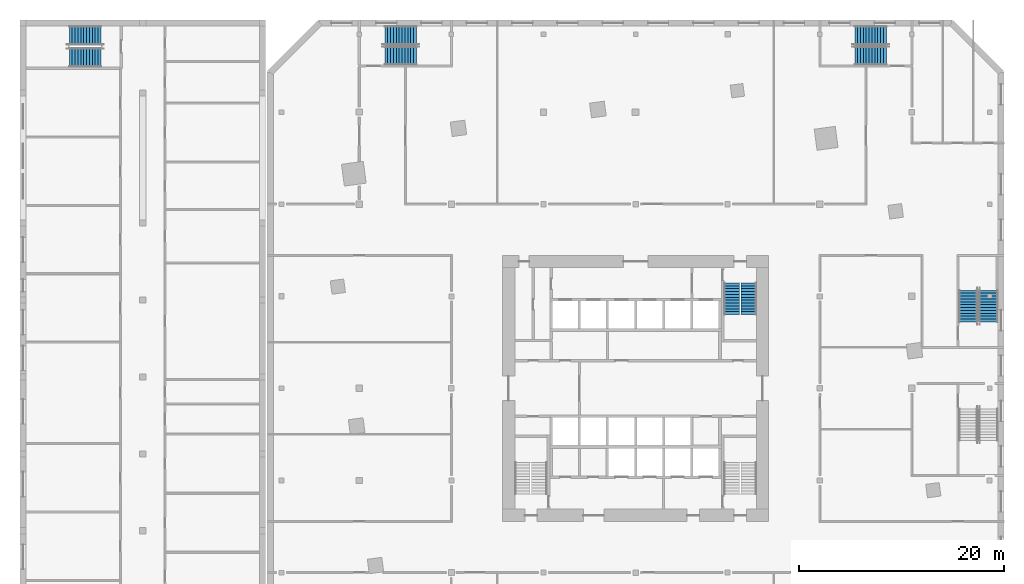
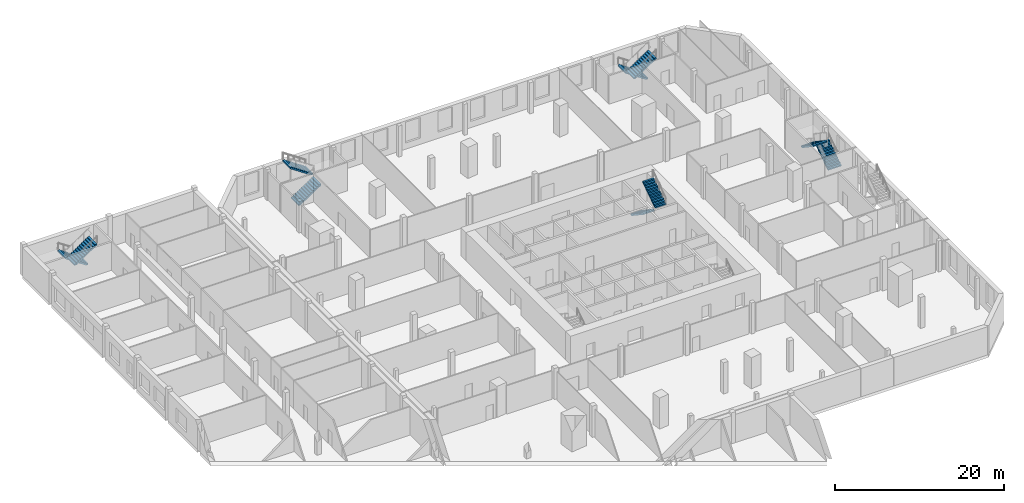
# One storey, part 14 of 18: 10 stair flights, 5 elements without a shape of their own.
"""IFC4 building model written with IfcOpenShell, lengths in metres."""

from ifc_helpers import new_model, si_unit, direction, frame, origin, place, context, subcontext, project, spatial, polyline, outline, extrude, material, type_object, element, aggregate, save


model = new_model("IFC4")

# Units and contexts
model_context = context("Model", 3, precision=1e-05, world=origin(), true_north=direction((0.0, 1.0)))
body_context = subcontext(model_context, "Body", "Model", "MODEL_VIEW")
ifc_project = project(units=[si_unit("LENGTHUNIT", "METRE"), si_unit("AREAUNIT", "SQUARE_METRE"), si_unit("VOLUMEUNIT", "CUBIC_METRE"), si_unit("PLANEANGLEUNIT", "RADIAN"), si_unit("MASSUNIT", "GRAM", prefix="KILO")], contexts=[model_context])

# Site, building, storey
site_placement = place(None, origin())
site = spatial("IfcSite", under=ifc_project, at=site_placement, CompositionType="ELEMENT")
building_placement = place(site_placement, origin())
building = spatial("IfcBuilding", under=site, at=building_placement, Name="Dilmun Exchange Tower", CompositionType="ELEMENT")
storey_placement = place(building_placement, frame((0.0, 0.0, 13.5)))
storey = spatial("IfcBuildingStorey", under=building, at=storey_placement, Name="L03", CompositionType="ELEMENT", Elevation=13.5)

# Stair, stair flights
ifc_material = material(Name="Concrete C40/50", Category="concrete")
stair_type_1 = type_object("IfcStairType", Name="Exit stair 1500 half-turn", PredefinedType="HALF_TURN_STAIR", material=ifc_material)
stair_1_placement = place(storey_placement, origin())
stair_1 = element("IfcStair", 1, at=stair_1_placement, inside=storey, type_object=stair_type_1, Name="L03 Protected exit stair ST1", PredefinedType="HALF_TURN_STAIR")
stair_flight_type_1 = type_object("IfcStairFlightType", Name="Exit stair flight 1500", PredefinedType="STRAIGHT", material=ifc_material)
stair_flight_1_placement = place(storey_placement, frame((9.39990234375, 10.300048828125, 0.0), z_axis=(0.0, 0.0, 1.0), x_axis=(0.0, -1.0, 0.0)))
stair_flight_1 = element("IfcStairFlight", 2, at=stair_flight_1_placement, type_object=stair_flight_type_1, Name="ST1 flight 1", NumberOfRisers=12, NumberOfTreads=11, PredefinedType="STRAIGHT", RiserHeight=0.1875, TreadLength=0.28, context=body_context, shape_type="SweptSolid", body=[
    extrude(outline(polyline([(0.0, 0.0), (0.0, 0.1875), (0.280029296875, 0.1875), (0.280029296875, 0.375), (0.56005859375, 0.375), (0.56005859375, 0.5625), (0.840087890625, 0.5625), (0.840087890625, 0.75), (1.1201171875, 0.75), (1.1201171875, 0.9375), (1.39990234375, 0.9375), (1.39990234375, 1.125), (1.679931640625, 1.125), (1.679931640625, 1.3125), (1.9599609375, 1.3125), (1.9599609375, 1.5), (2.239990234375, 1.5), (2.239990234375, 1.6875), (2.52001953125, 1.6875), (2.52001953125, 1.875), (2.800048828125, 1.875), (2.800048828125, 2.0625), (3.080078125, 2.0625), (3.080078125, 2.25), (3.080078125, 1.882080078125), (0.26953125, 0.0), (0.0, 0.0)])), frame((0.0, 0.75, 0.0), z_axis=(0.0, -1.0, 0.0), x_axis=(1.0, 0.0, 0.0)), (0.0, 0.0, 1.0), 1.5),
])
stair_flight_2_placement = place(storey_placement, frame((11.050048828125, 7.219970703125, 2.25), z_axis=(0.0, 0.0, 1.0), x_axis=(0.0, 1.0, 0.0)))
stair_flight_2 = element("IfcStairFlight", 3, at=stair_flight_2_placement, type_object=stair_flight_type_1, Name="ST1 flight 2", NumberOfRisers=12, NumberOfTreads=11, PredefinedType="STRAIGHT", RiserHeight=0.1875, TreadLength=0.28, context=body_context, shape_type="SweptSolid", body=[
    extrude(outline(polyline([(0.0, 0.0), (0.0, 0.1875), (0.280029296875, 0.1875), (0.280029296875, 0.375), (0.56005859375, 0.375), (0.56005859375, 0.5625), (0.840087890625, 0.5625), (0.840087890625, 0.75), (1.1201171875, 0.75), (1.1201171875, 0.9375), (1.39990234375, 0.9375), (1.39990234375, 1.125), (1.679931640625, 1.125), (1.679931640625, 1.3125), (1.9599609375, 1.3125), (1.9599609375, 1.5), (2.239990234375, 1.5), (2.239990234375, 1.6875), (2.52001953125, 1.6875), (2.52001953125, 1.875), (2.800048828125, 1.875), (2.800048828125, 2.0625), (3.080078125, 2.0625), (3.080078125, 2.25), (3.080078125, 1.882080078125), (0.26953125, 0.0), (0.0, 0.0)])), frame((0.0, 0.75, 0.0), z_axis=(0.0, -1.0, 0.0), x_axis=(1.0, 0.0, 0.0)), (0.0, 0.0, 1.0), 1.5),
])
aggregate(stair_1, [stair_flight_1, stair_flight_2])

stair_type_2 = type_object("IfcStairType", Name="Podium exit stair 1500", PredefinedType="HALF_TURN_STAIR", material=ifc_material)
stair_2_placement = place(storey_placement, origin())
stair_2 = element("IfcStair", 4, at=stair_2_placement, inside=storey, type_object=stair_type_2, Name="L03 Podium exit stair PS1", PredefinedType="HALF_TURN_STAIR")
stair_flight_type_2 = type_object("IfcStairFlightType", Name="Podium stair flight 1500", PredefinedType="STRAIGHT", material=ifc_material)
stair_flight_3_placement = place(storey_placement, frame((-24.5, 32.511962890625, 0.0), z_axis=(0.0, 0.0, 1.0), x_axis=(1.0, 0.0, 0.0)))
stair_flight_3 = element("IfcStairFlight", 5, at=stair_flight_3_placement, type_object=stair_flight_type_2, Name="PS1 flight 1", NumberOfRisers=12, NumberOfTreads=11, PredefinedType="STRAIGHT", RiserHeight=0.1875, TreadLength=0.28, context=body_context, shape_type="SweptSolid", body=[
    extrude(outline(polyline([(0.0, 0.0), (0.0, 0.1875), (0.280029296875, 0.1875), (0.280029296875, 0.375), (0.56005859375, 0.375), (0.56005859375, 0.5625), (0.840087890625, 0.5625), (0.840087890625, 0.75), (1.1201171875, 0.75), (1.1201171875, 0.9375), (1.39990234375, 0.9375), (1.39990234375, 1.125), (1.679931640625, 1.125), (1.679931640625, 1.3125), (1.9599609375, 1.3125), (1.9599609375, 1.5), (2.239990234375, 1.5), (2.239990234375, 1.6875), (2.52001953125, 1.6875), (2.52001953125, 1.875), (2.800048828125, 1.875), (2.800048828125, 2.0625), (3.080078125, 2.0625), (3.080078125, 2.25), (3.080078125, 1.882080078125), (0.26953125, 0.0), (0.0, 0.0)])), frame((0.0, 0.912109375, 0.0), z_axis=(0.0, -1.0, 0.0), x_axis=(1.0, 0.0, 0.0)), (0.0, 0.0, 1.0), 1.823974609375),
])
stair_flight_4_placement = place(storey_placement, frame((-21.419921875, 34.486083984375, 2.25), z_axis=(0.0, 0.0, 1.0), x_axis=(-1.0, 0.0, 0.0)))
stair_flight_4 = element("IfcStairFlight", 6, at=stair_flight_4_placement, type_object=stair_flight_type_2, Name="PS1 flight 2", NumberOfRisers=12, NumberOfTreads=11, PredefinedType="STRAIGHT", RiserHeight=0.1875, TreadLength=0.28, context=body_context, shape_type="SweptSolid", body=[
    extrude(outline(polyline([(0.0, 0.0), (0.0, 0.1875), (0.280029296875, 0.1875), (0.280029296875, 0.375), (0.56005859375, 0.375), (0.56005859375, 0.5625), (0.840087890625, 0.5625), (0.840087890625, 0.75), (1.1201171875, 0.75), (1.1201171875, 0.9375), (1.39990234375, 0.9375), (1.39990234375, 1.125), (1.679931640625, 1.125), (1.679931640625, 1.3125), (1.9599609375, 1.3125), (1.9599609375, 1.5), (2.239990234375, 1.5), (2.239990234375, 1.6875), (2.52001953125, 1.6875), (2.52001953125, 1.875), (2.800048828125, 1.875), (2.800048828125, 2.0625), (3.080078125, 2.0625), (3.080078125, 2.25), (3.080078125, 1.882080078125), (0.26953125, 0.0), (0.0, 0.0)])), frame((0.0, 0.912109375, 0.0), z_axis=(0.0, -1.0, 0.0), x_axis=(1.0, 0.0, 0.0)), (0.0, 0.0, 1.0), 1.823974609375),
])
aggregate(stair_2, [stair_flight_3, stair_flight_4])

stair_3_placement = place(storey_placement, origin())
stair_3 = element("IfcStair", 7, at=stair_3_placement, inside=storey, type_object=stair_type_2, Name="L03 Podium exit stair PS2", PredefinedType="HALF_TURN_STAIR")
stair_flight_5_placement = place(storey_placement, frame((24.5, 34.486083984375, 0.0), z_axis=(0.0, 0.0, 1.0), x_axis=(-1.0, 0.0, 0.0)))
stair_flight_5 = element("IfcStairFlight", 8, at=stair_flight_5_placement, type_object=stair_flight_type_2, Name="PS2 flight 1", NumberOfRisers=12, NumberOfTreads=11, PredefinedType="STRAIGHT", RiserHeight=0.1875, TreadLength=0.28, context=body_context, shape_type="SweptSolid", body=[
    extrude(outline(polyline([(0.0, 0.0), (0.0, 0.1875), (0.280029296875, 0.1875), (0.280029296875, 0.375), (0.56005859375, 0.375), (0.56005859375, 0.5625), (0.840087890625, 0.5625), (0.840087890625, 0.75), (1.1201171875, 0.75), (1.1201171875, 0.9375), (1.39990234375, 0.9375), (1.39990234375, 1.125), (1.679931640625, 1.125), (1.679931640625, 1.3125), (1.9599609375, 1.3125), (1.9599609375, 1.5), (2.239990234375, 1.5), (2.239990234375, 1.6875), (2.52001953125, 1.6875), (2.52001953125, 1.875), (2.800048828125, 1.875), (2.800048828125, 2.0625), (3.080078125, 2.0625), (3.080078125, 2.25), (3.080078125, 1.882080078125), (0.26953125, 0.0), (0.0, 0.0)])), frame((0.0, 0.912109375, 0.0), z_axis=(0.0, -1.0, 0.0), x_axis=(1.0, 0.0, 0.0)), (0.0, 0.0, 1.0), 1.823974609375),
])
stair_flight_6_placement = place(storey_placement, frame((21.419921875, 32.511962890625, 2.25), z_axis=(0.0, 0.0, 1.0), x_axis=(1.0, 0.0, 0.0)))
stair_flight_6 = element("IfcStairFlight", 9, at=stair_flight_6_placement, type_object=stair_flight_type_2, Name="PS2 flight 2", NumberOfRisers=12, NumberOfTreads=11, PredefinedType="STRAIGHT", RiserHeight=0.1875, TreadLength=0.28, context=body_context, shape_type="SweptSolid", body=[
    extrude(outline(polyline([(0.0, 0.0), (0.0, 0.1875), (0.280029296875, 0.1875), (0.280029296875, 0.375), (0.56005859375, 0.375), (0.56005859375, 0.5625), (0.840087890625, 0.5625), (0.840087890625, 0.75), (1.1201171875, 0.75), (1.1201171875, 0.9375), (1.39990234375, 0.9375), (1.39990234375, 1.125), (1.679931640625, 1.125), (1.679931640625, 1.3125), (1.9599609375, 1.3125), (1.9599609375, 1.5), (2.239990234375, 1.5), (2.239990234375, 1.6875), (2.52001953125, 1.6875), (2.52001953125, 1.875), (2.800048828125, 1.875), (2.800048828125, 2.0625), (3.080078125, 2.0625), (3.080078125, 2.25), (3.080078125, 1.882080078125), (0.26953125, 0.0), (0.0, 0.0)])), frame((0.0, 0.912109375, 0.0), z_axis=(0.0, -1.0, 0.0), x_axis=(1.0, 0.0, 0.0)), (0.0, 0.0, 1.0), 1.823974609375),
])
aggregate(stair_3, [stair_flight_5, stair_flight_6])

stair_4_placement = place(storey_placement, origin())
stair_4 = element("IfcStair", 10, at=stair_4_placement, inside=storey, type_object=stair_type_2, Name="L03 Podium exit stair PS4", PredefinedType="HALF_TURN_STAIR")
stair_flight_7_placement = place(storey_placement, frame((34.486083984375, 6.5, 0.0), z_axis=(0.0, 0.0, 1.0), x_axis=(0.0, 1.0, 0.0)))
stair_flight_7 = element("IfcStairFlight", 11, at=stair_flight_7_placement, type_object=stair_flight_type_2, Name="PS4 flight 1", NumberOfRisers=12, NumberOfTreads=11, PredefinedType="STRAIGHT", RiserHeight=0.1875, TreadLength=0.28, context=body_context, shape_type="SweptSolid", body=[
    extrude(outline(polyline([(0.0, 0.0), (0.0, 0.1875), (0.280029296875, 0.1875), (0.280029296875, 0.375), (0.56005859375, 0.375), (0.56005859375, 0.5625), (0.840087890625, 0.5625), (0.840087890625, 0.75), (1.1201171875, 0.75), (1.1201171875, 0.9375), (1.39990234375, 0.9375), (1.39990234375, 1.125), (1.679931640625, 1.125), (1.679931640625, 1.3125), (1.9599609375, 1.3125), (1.9599609375, 1.5), (2.239990234375, 1.5), (2.239990234375, 1.6875), (2.52001953125, 1.6875), (2.52001953125, 1.875), (2.800048828125, 1.875), (2.800048828125, 2.0625), (3.080078125, 2.0625), (3.080078125, 2.25), (3.080078125, 1.882080078125), (0.26953125, 0.0), (0.0, 0.0)])), frame((0.0, 0.912109375, 0.0), z_axis=(0.0, -1.0, 0.0), x_axis=(1.0, 0.0, 0.0)), (0.0, 0.0, 1.0), 1.823974609375),
])
stair_flight_8_placement = place(storey_placement, frame((32.511962890625, 9.580078125, 2.25), z_axis=(0.0, 0.0, 1.0), x_axis=(0.0, -1.0, 0.0)))
stair_flight_8 = element("IfcStairFlight", 12, at=stair_flight_8_placement, type_object=stair_flight_type_2, Name="PS4 flight 2", NumberOfRisers=12, NumberOfTreads=11, PredefinedType="STRAIGHT", RiserHeight=0.1875, TreadLength=0.28, context=body_context, shape_type="SweptSolid", body=[
    extrude(outline(polyline([(0.0, 0.0), (0.0, 0.1875), (0.280029296875, 0.1875), (0.280029296875, 0.375), (0.56005859375, 0.375), (0.56005859375, 0.5625), (0.840087890625, 0.5625), (0.840087890625, 0.75), (1.1201171875, 0.75), (1.1201171875, 0.9375), (1.39990234375, 0.9375), (1.39990234375, 1.125), (1.679931640625, 1.125), (1.679931640625, 1.3125), (1.9599609375, 1.3125), (1.9599609375, 1.5), (2.239990234375, 1.5), (2.239990234375, 1.6875), (2.52001953125, 1.6875), (2.52001953125, 1.875), (2.800048828125, 1.875), (2.800048828125, 2.0625), (3.080078125, 2.0625), (3.080078125, 2.25), (3.080078125, 1.882080078125), (0.26953125, 0.0), (0.0, 0.0)])), frame((0.0, 0.912109375, 0.0), z_axis=(0.0, -1.0, 0.0), x_axis=(1.0, 0.0, 0.0)), (0.0, 0.0, 1.0), 1.823974609375),
])
aggregate(stair_4, [stair_flight_7, stair_flight_8])

stair_type_3 = type_object("IfcStairType", Name="School exit stair 1850 wide", PredefinedType="HALF_TURN_STAIR", material=ifc_material)
stair_5_placement = place(storey_placement, origin())
stair_5 = element("IfcStair", 13, at=stair_5_placement, inside=storey, type_object=stair_type_3, Name="L03 Stair S1", PredefinedType="HALF_TURN_STAIR")
stair_flight_type_3 = type_object("IfcStairFlightType", Name="School stair flight 1850 wide", PredefinedType="STRAIGHT", material=ifc_material)
stair_flight_9_placement = place(storey_placement, frame((-52.25, 34.47509765625, 0.0), z_axis=(0.0, 0.0, 1.0), x_axis=(-1.0, 0.0, 0.0)))
stair_flight_9 = element("IfcStairFlight", 14, at=stair_flight_9_placement, type_object=stair_flight_type_3, Name="SCH-S1 flight 1", NumberOfRisers=12, NumberOfTreads=11, PredefinedType="STRAIGHT", RiserHeight=0.1875, TreadLength=0.28, context=body_context, shape_type="SweptSolid", body=[
    extrude(outline(polyline([(0.0, 0.0), (0.0, 0.1875), (0.280029296875, 0.1875), (0.280029296875, 0.375), (0.56005859375, 0.375), (0.56005859375, 0.5625), (0.840087890625, 0.5625), (0.840087890625, 0.75), (1.1201171875, 0.75), (1.1201171875, 0.9375), (1.39990234375, 0.9375), (1.39990234375, 1.125), (1.679931640625, 1.125), (1.679931640625, 1.3125), (1.9599609375, 1.3125), (1.9599609375, 1.5), (2.239990234375, 1.5), (2.239990234375, 1.6875), (2.52001953125, 1.6875), (2.52001953125, 1.875), (2.800048828125, 1.875), (2.800048828125, 2.0625), (3.080078125, 2.0625), (3.080078125, 2.25), (3.080078125, 1.882080078125), (0.26953125, 0.0), (0.0, 0.0)])), frame((0.0, 0.925048828125, 0.0), z_axis=(0.0, -1.0, 0.0), x_axis=(1.0, 0.0, 0.0)), (0.0, 0.0, 1.0), 1.85009765625),
])
stair_flight_10_placement = place(storey_placement, frame((-55.330078125, 32.324951171875, 2.25), z_axis=(0.0, 0.0, 1.0), x_axis=(1.0, 0.0, 0.0)))
stair_flight_10 = element("IfcStairFlight", 15, at=stair_flight_10_placement, type_object=stair_flight_type_3, Name="SCH-S1 flight 2", NumberOfRisers=12, NumberOfTreads=11, PredefinedType="STRAIGHT", RiserHeight=0.1875, TreadLength=0.28, context=body_context, shape_type="SweptSolid", body=[
    extrude(outline(polyline([(0.0, 0.0), (0.0, 0.1875), (0.280029296875, 0.1875), (0.280029296875, 0.375), (0.56005859375, 0.375), (0.56005859375, 0.5625), (0.840087890625, 0.5625), (0.840087890625, 0.75), (1.1201171875, 0.75), (1.1201171875, 0.9375), (1.39990234375, 0.9375), (1.39990234375, 1.125), (1.679931640625, 1.125), (1.679931640625, 1.3125), (1.9599609375, 1.3125), (1.9599609375, 1.5), (2.239990234375, 1.5), (2.239990234375, 1.6875), (2.52001953125, 1.6875), (2.52001953125, 1.875), (2.800048828125, 1.875), (2.800048828125, 2.0625), (3.080078125, 2.0625), (3.080078125, 2.25), (3.080078125, 1.882080078125), (0.26953125, 0.0), (0.0, 0.0)])), frame((0.0, 0.925048828125, 0.0), z_axis=(0.0, -1.0, 0.0), x_axis=(1.0, 0.0, 0.0)), (0.0, 0.0, 1.0), 1.85009765625),
])
aggregate(stair_5, [stair_flight_9, stair_flight_10])

save(model, "model.ifc")
